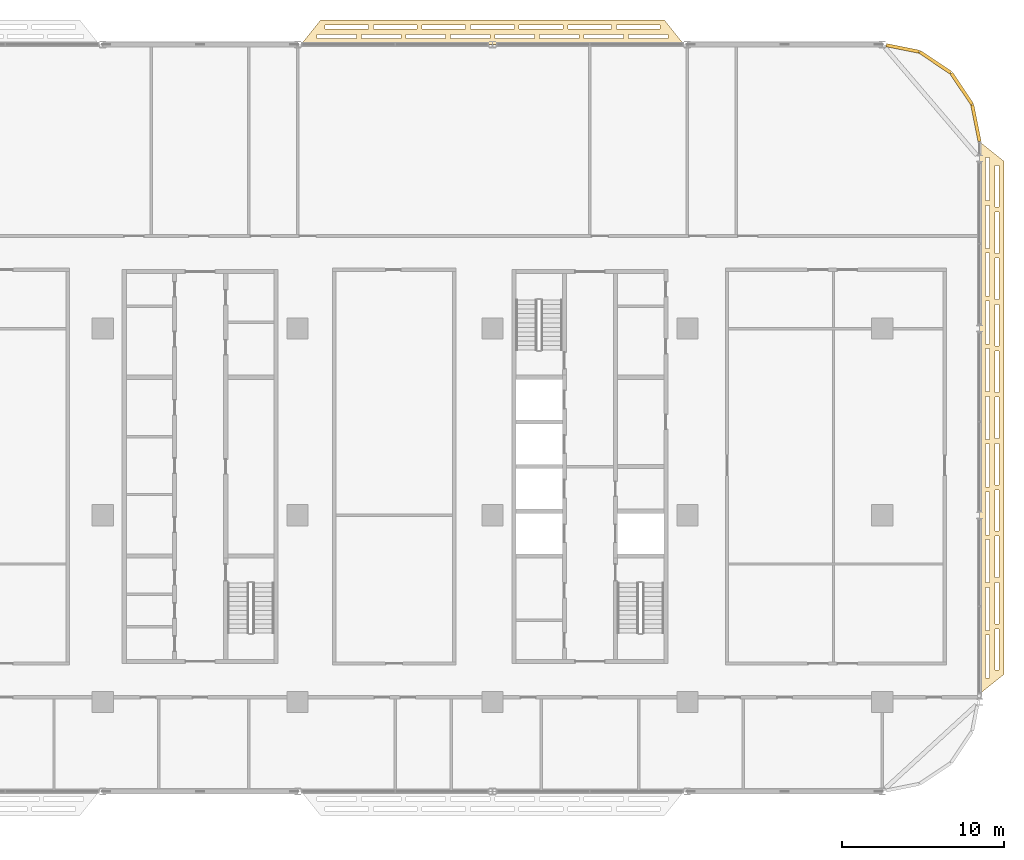
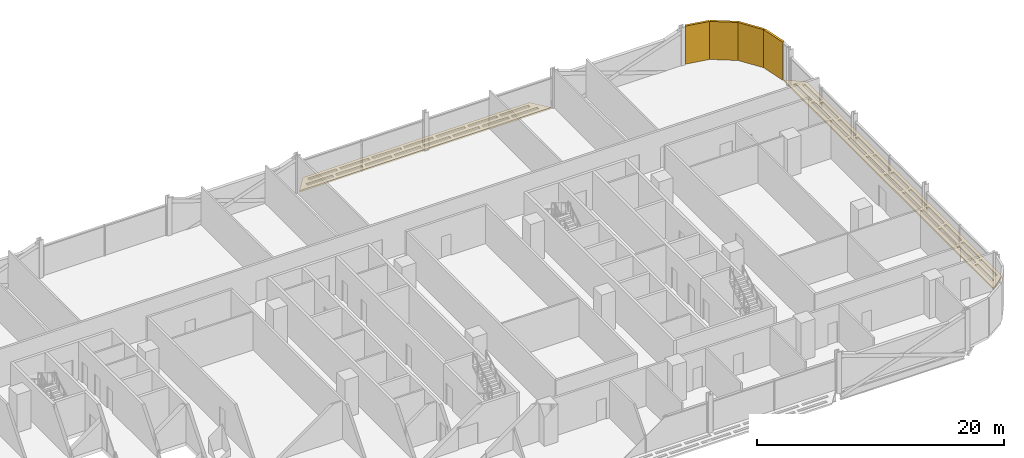
# One storey, part 29 of 29: 6 coverings.
"""IFC4 building model written with IfcOpenShell, lengths in metres."""

from ifc_helpers import new_model, si_unit, direction, frame, origin, origin_2d, place, context, subcontext, project, spatial, polyline, rectangle, outline, extrude, material, layer, layer_set, type_object, element, save


model = new_model("IFC4")

# Units and contexts
model_context = context("Model", 3, precision=1e-05, world=origin(), true_north=direction((0.0, 1.0)))
body_context = subcontext(model_context, "Body", "Model", "MODEL_VIEW")
ifc_project = project(units=[si_unit("LENGTHUNIT", "METRE"), si_unit("AREAUNIT", "SQUARE_METRE"), si_unit("VOLUMEUNIT", "CUBIC_METRE"), si_unit("PLANEANGLEUNIT", "RADIAN"), si_unit("MASSUNIT", "GRAM", prefix="KILO")], contexts=[model_context])

# Site, building, storey
site_placement = place(None, origin())
site = spatial("IfcSite", under=ifc_project, at=site_placement, CompositionType="ELEMENT")
building_placement = place(site_placement, origin())
building = spatial("IfcBuilding", under=site, at=building_placement, Name="Mahtab Terrace Research Tower", CompositionType="ELEMENT")
storey_placement = place(building_placement, frame((0.0, 0.0, 146.60009765625)))
storey = spatial("IfcBuildingStorey", under=building, at=storey_placement, Name="L34", CompositionType="ELEMENT", Elevation=146.60009765625)

# Coverings
ifc_material_1 = material(Name="Black aluminium cladding panel", Category="aluminium")
ifc_layer_1 = layer(ifc_material_1, 0.199951171875)
ifc_layer_set_1 = layer_set([ifc_layer_1], Name="Black metal corner cladding 200")
covering_type_1 = type_object("IfcCoveringType", Name="Black metal corner cladding 200", PredefinedType="CLADDING", material=ifc_layer_set_1)
for number, where, z_axis, x_axis, name in (
    (1, (46.89306640625, 26.26953125, 0.0), (0.0, 0.0, 1.0), (-0.555291490808, 0.831655794326, 0.0), "Corner cladding L34 0"),
    (2, (45.26953125, 27.89306640625, 0.0), (0.0, 0.0, 1.0), (-0.831655794326, 0.555291490808, 0.0), "Corner cladding L34 1"),
):
    element("IfcCovering", number, at=place(storey_placement, frame(where, z_axis=z_axis, x_axis=x_axis)), inside=storey, type_object=covering_type_1, Name=name, PredefinedType="CLADDING", context=body_context, shape_type="SweptSolid", body=[
        extrude(rectangle(XDim=2.30126953125, YDim=0.199951171875, at=origin_2d()), origin(), (0.0, 0.0, 1.0), 3.760009765625),
    ])
covering_1_placement = place(storey_placement, frame((43.263916015625, 28.74853515625, 0.0), z_axis=(0.0, 0.0, 1.0), x_axis=(-0.980760981187, 0.195212442692, 0.0)))
element("IfcCovering", 3, at=covering_1_placement, inside=storey, type_object=covering_type_1, Name="Corner cladding L34 2", PredefinedType="CLADDING", context=body_context, shape_type="SweptSolid", body=[
    extrude(rectangle(XDim=2.064697265625, YDim=0.199951171875, at=origin_2d()), origin(), (0.0, 0.0, 1.0), 3.760009765625),
])
covering_2_placement = place(storey_placement, frame((47.771484375, 24.14794921875, 0.0), z_axis=(0.0, 0.0, 1.0), x_axis=(-0.195212442692, 0.980760981187, 0.0)))
element("IfcCovering", 4, at=covering_2_placement, inside=storey, type_object=covering_type_1, Name="Corner cladding L34 40", PredefinedType="CLADDING", context=body_context, shape_type="SweptSolid", body=[
    extrude(rectangle(XDim=2.30126953125, YDim=0.199951171875, at=origin_2d()), origin(), (0.0, 0.0, 1.0), 3.760009765625),
])
ifc_material_2 = material(Name="Black anodised aluminium", Category="aluminium")
ifc_layer_2 = layer(ifc_material_2, 0.14990234375)
ifc_layer_set_2 = layer_set([ifc_layer_2], Name="Horizontal sunshade band")
covering_type_2 = type_object("IfcCoveringType", Name="Horizontal sunshade band", PredefinedType="CLADDING", material=ifc_layer_set_2)
covering_3_placement = place(storey_placement, frame((0.0, 0.0, -0.150146484375)))
element("IfcCovering", 5, at=covering_3_placement, inside=storey, type_object=covering_type_2, Name="Sunshade band L34 4", PredefinedType="CLADDING", context=body_context, shape_type="SweptSolid", body=[
    extrude(outline(polyline([(29.781982421875, 29.0), (6.218017578125, 29.0), (7.41796875, 30.5), (28.58203125, 30.5), (29.781982421875, 29.0)]), holes=[polyline([(28.802001953125, 29.35009765625), (26.364013671875, 29.35009765625), (26.364013671875, 29.60009765625), (28.802001953125, 29.60009765625), (28.802001953125, 29.35009765625)]), polyline([(26.06396484375, 29.35009765625), (23.6259765625, 29.35009765625), (23.6259765625, 29.60009765625), (26.06396484375, 29.60009765625), (26.06396484375, 29.35009765625)]), polyline([(23.325927734375, 29.35009765625), (20.887939453125, 29.35009765625), (20.887939453125, 29.60009765625), (23.325927734375, 29.60009765625), (23.325927734375, 29.35009765625)]), polyline([(20.587890625, 29.35009765625), (18.14990234375, 29.35009765625), (18.14990234375, 29.60009765625), (20.587890625, 29.60009765625), (20.587890625, 29.35009765625)]), polyline([(17.85009765625, 29.35009765625), (15.412109375, 29.35009765625), (15.412109375, 29.60009765625), (17.85009765625, 29.60009765625), (17.85009765625, 29.35009765625)]), polyline([(15.112060546875, 29.35009765625), (12.674072265625, 29.35009765625), (12.674072265625, 29.60009765625), (15.112060546875, 29.60009765625), (15.112060546875, 29.35009765625)]), polyline([(12.3740234375, 29.35009765625), (9.93603515625, 29.35009765625), (9.93603515625, 29.60009765625), (12.3740234375, 29.60009765625), (12.3740234375, 29.35009765625)]), polyline([(9.635986328125, 29.35009765625), (7.197998046875, 29.35009765625), (7.197998046875, 29.60009765625), (9.635986328125, 29.60009765625), (9.635986328125, 29.35009765625)]), polyline([(28.322021484375, 29.949951171875), (25.6298828125, 29.949951171875), (25.6298828125, 30.199951171875), (28.322021484375, 30.199951171875), (28.322021484375, 29.949951171875)]), polyline([(25.330078125, 29.949951171875), (22.637939453125, 29.949951171875), (22.637939453125, 30.199951171875), (25.330078125, 30.199951171875), (25.330078125, 29.949951171875)]), polyline([(22.337890625, 29.949951171875), (19.64599609375, 29.949951171875), (19.64599609375, 30.199951171875), (22.337890625, 30.199951171875), (22.337890625, 29.949951171875)]), polyline([(19.345947265625, 29.949951171875), (16.654052734375, 29.949951171875), (16.654052734375, 30.199951171875), (19.345947265625, 30.199951171875), (19.345947265625, 29.949951171875)]), polyline([(16.35400390625, 29.949951171875), (13.662109375, 29.949951171875), (13.662109375, 30.199951171875), (16.35400390625, 30.199951171875), (16.35400390625, 29.949951171875)]), polyline([(13.362060546875, 29.949951171875), (10.669921875, 29.949951171875), (10.669921875, 30.199951171875), (13.362060546875, 30.199951171875), (13.362060546875, 29.949951171875)]), polyline([(10.3701171875, 29.949951171875), (7.677978515625, 29.949951171875), (7.677978515625, 30.199951171875), (10.3701171875, 30.199951171875), (10.3701171875, 29.949951171875)])]), origin(), (0.0, 0.0, 1.0), 0.150146484375),
])
covering_4_placement = place(storey_placement, frame((0.0, 0.0, -0.150146484375)))
element("IfcCovering", 6, at=covering_4_placement, inside=storey, type_object=covering_type_2, Name="Sunshade band L34 36", PredefinedType="CLADDING", context=body_context, shape_type="SweptSolid", body=[
    extrude(outline(polyline([(48.0, -11.0), (48.0, 23.0), (49.5, 21.800048828125), (49.5, -9.800048828125), (48.0, -11.0)]), holes=[polyline([(48.35009765625, -10.02001953125), (48.35009765625, -7.3798828125), (48.60009765625, -7.3798828125), (48.60009765625, -10.02001953125), (48.35009765625, -10.02001953125)]), polyline([(48.35009765625, -7.080078125), (48.35009765625, -4.43994140625), (48.60009765625, -4.43994140625), (48.60009765625, -7.080078125), (48.35009765625, -7.080078125)]), polyline([(48.35009765625, -4.139892578125), (48.35009765625, -1.5), (48.60009765625, -1.5), (48.60009765625, -4.139892578125), (48.35009765625, -4.139892578125)]), polyline([(48.35009765625, -1.199951171875), (48.35009765625, 1.43994140625), (48.60009765625, 1.43994140625), (48.60009765625, -1.199951171875), (48.35009765625, -1.199951171875)]), polyline([(48.35009765625, 1.739990234375), (48.35009765625, 4.3798828125), (48.60009765625, 4.3798828125), (48.60009765625, 1.739990234375), (48.35009765625, 1.739990234375)]), polyline([(48.35009765625, 4.679931640625), (48.35009765625, 7.320068359375), (48.60009765625, 7.320068359375), (48.60009765625, 4.679931640625), (48.35009765625, 4.679931640625)]), polyline([(48.35009765625, 7.6201171875), (48.35009765625, 10.260009765625), (48.60009765625, 10.260009765625), (48.60009765625, 7.6201171875), (48.35009765625, 7.6201171875)]), polyline([(48.35009765625, 10.56005859375), (48.35009765625, 13.199951171875), (48.60009765625, 13.199951171875), (48.60009765625, 10.56005859375), (48.35009765625, 10.56005859375)]), polyline([(48.35009765625, 13.5), (48.35009765625, 16.139892578125), (48.60009765625, 16.139892578125), (48.60009765625, 13.5), (48.35009765625, 13.5)]), polyline([(48.35009765625, 16.43994140625), (48.35009765625, 19.080078125), (48.60009765625, 19.080078125), (48.60009765625, 16.43994140625), (48.35009765625, 16.43994140625)]), polyline([(48.35009765625, 19.3798828125), (48.35009765625, 22.02001953125), (48.60009765625, 22.02001953125), (48.60009765625, 19.3798828125), (48.35009765625, 19.3798828125)]), polyline([(48.949951171875, -9.5400390625), (48.949951171875, -6.987060546875), (49.199951171875, -6.987060546875), (49.199951171875, -9.5400390625), (48.949951171875, -9.5400390625)]), polyline([(48.949951171875, -6.68701171875), (48.949951171875, -4.135009765625), (49.199951171875, -4.135009765625), (49.199951171875, -6.68701171875), (48.949951171875, -6.68701171875)]), polyline([(48.949951171875, -3.8349609375), (48.949951171875, -1.281982421875), (49.199951171875, -1.281982421875), (49.199951171875, -3.8349609375), (48.949951171875, -3.8349609375)]), polyline([(48.949951171875, -0.98193359375), (48.949951171875, 1.571044921875), (49.199951171875, 1.571044921875), (49.199951171875, -0.98193359375), (48.949951171875, -0.98193359375)]), polyline([(48.949951171875, 1.87109375), (48.949951171875, 4.424072265625), (49.199951171875, 4.424072265625), (49.199951171875, 1.87109375), (48.949951171875, 1.87109375)]), polyline([(48.949951171875, 4.72412109375), (48.949951171875, 7.27587890625), (49.199951171875, 7.27587890625), (49.199951171875, 4.72412109375), (48.949951171875, 4.72412109375)]), polyline([(48.949951171875, 7.575927734375), (48.949951171875, 10.12890625), (49.199951171875, 10.12890625), (49.199951171875, 7.575927734375), (48.949951171875, 7.575927734375)]), polyline([(48.949951171875, 10.428955078125), (48.949951171875, 12.98193359375), (49.199951171875, 12.98193359375), (49.199951171875, 10.428955078125), (48.949951171875, 10.428955078125)]), polyline([(48.949951171875, 13.281982421875), (48.949951171875, 15.8349609375), (49.199951171875, 15.8349609375), (49.199951171875, 13.281982421875), (48.949951171875, 13.281982421875)]), polyline([(48.949951171875, 16.135009765625), (48.949951171875, 18.68701171875), (49.199951171875, 18.68701171875), (49.199951171875, 16.135009765625), (48.949951171875, 16.135009765625)]), polyline([(48.949951171875, 18.987060546875), (48.949951171875, 21.5400390625), (49.199951171875, 21.5400390625), (49.199951171875, 18.987060546875), (48.949951171875, 18.987060546875)])]), origin(), (0.0, 0.0, 1.0), 0.150146484375),
])

save(model, "model.ifc")
